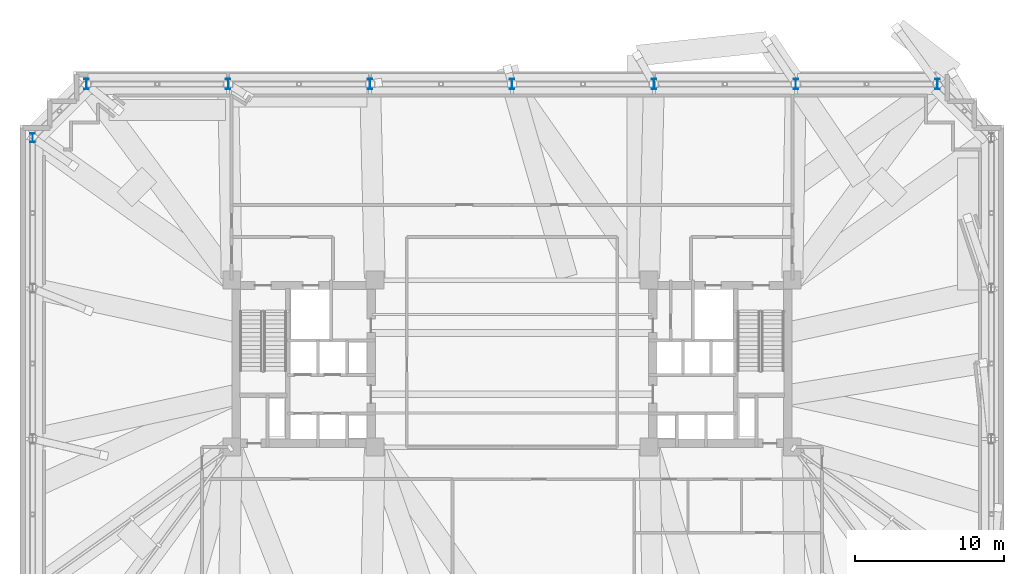
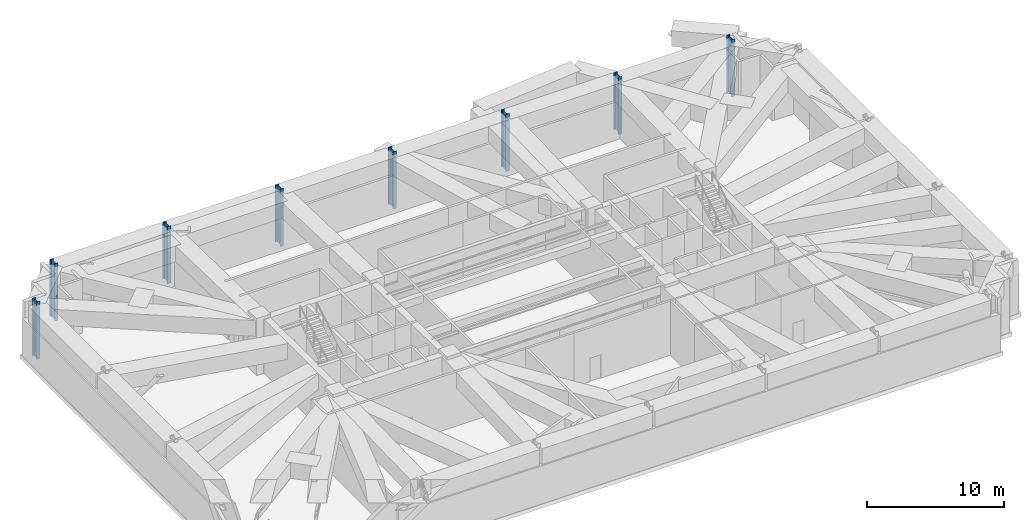
# One storey, part 2 of 20: 8 columns.
"""IFC4 building model written with IfcOpenShell, lengths in metres."""

from ifc_helpers import new_model, si_unit, direction, frame, origin, origin_2d, place, context, subcontext, project, spatial, i_section, extrude, material, material_profile, profile_set, type_object, element, save


model = new_model("IFC4")

# Units and contexts
model_context = context("Model", 3, precision=1e-05, world=origin(), true_north=direction((0.0, 1.0)))
body_context = subcontext(model_context, "Body", "Model", "MODEL_VIEW")
ifc_project = project(units=[si_unit("LENGTHUNIT", "METRE"), si_unit("AREAUNIT", "SQUARE_METRE"), si_unit("VOLUMEUNIT", "CUBIC_METRE"), si_unit("PLANEANGLEUNIT", "RADIAN"), si_unit("MASSUNIT", "GRAM", prefix="KILO")], contexts=[model_context])

# Site, building, storey
site_placement = place(None, origin())
site = spatial("IfcSite", under=ifc_project, at=site_placement, CompositionType="ELEMENT")
building_placement = place(site_placement, origin())
building = spatial("IfcBuilding", under=site, at=building_placement, Name="Qobustan Lattice House", CompositionType="ELEMENT")
storey_placement = place(building_placement, frame((0.0, 0.0, 73.89990234375)))
storey = spatial("IfcBuildingStorey", under=building, at=storey_placement, Name="L20", CompositionType="ELEMENT", Elevation=73.89990234375)

# Columns
ifc_material_1 = material(Name="Steel S460", Category="steel")
ifc_material_profile_1 = material_profile(ifc_material_1, i_section(OverallWidth=0.304931640625, OverallDepth=0.6201171875, WebThickness=0.02099609375, FlangeThickness=0.0400390625, FilletRadius=0.027099609375, at=origin_2d()), Name="HEM600")
ifc_profile_set_1 = profile_set([ifc_material_profile_1], Name="Steel S460")
column_type_1 = type_object("IfcColumnType", Name="COL-ST-HEM600", PredefinedType="COLUMN", material=ifc_profile_set_1)
column_placement = place(storey_placement, frame((-32.14990234375, 15.14990234375, 0.0), z_axis=(0.0, 0.0, 1.0), x_axis=(1.0, 0.0, 0.0)))
element("IfcColumn", 1, at=column_placement, inside=storey, type_object=column_type_1, Name="L20 B1 perimeter column W1", PredefinedType="COLUMN", context=body_context, shape_type="SweptSolid", body=[
    extrude(i_section(OverallWidth=0.304931640625, OverallDepth=0.6201171875, WebThickness=0.02099609375, FlangeThickness=0.0400390625, FilletRadius=0.027099609375, at=origin_2d()), origin(), (0.0, 0.0, 1.0), 5.10009765625),
])
ifc_material_2 = material(Name="Steel S460", Category="steel")
ifc_material_profile_2 = material_profile(ifc_material_2, i_section(OverallWidth=0.303955078125, OverallDepth=0.716064453125, WebThickness=0.02099609375, FlangeThickness=0.0400390625, FilletRadius=0.027099609375, at=origin_2d()), Name="HEM700")
ifc_profile_set_2 = profile_set([ifc_material_profile_2], Name="Steel S460")
column_type_2 = type_object("IfcColumnType", Name="COL-ST-HEM700", PredefinedType="COLUMN", material=ifc_profile_set_2)
for number, where, z_axis, x_axis, name in (
    (2, (28.550048828125, 18.75, 0.0), (0.0, 0.0, 1.0), (1.0, 0.0, 0.0), "L20 B1 perimeter column N1"),
    (3, (19.033203125, 18.75, 0.0), (0.0, 0.0, 1.0), (1.0, 0.0, 0.0), "L20 B1 perimeter column N2"),
    (4, (9.5166015625, 18.75, 0.0), (0.0, 0.0, 1.0), (1.0, 0.0, 0.0), "L20 B1 perimeter column N3"),
    (5, (0.0, 18.75, 0.0), (0.0, 0.0, 1.0), (1.0, 0.0, 0.0), "L20 B1 perimeter column N4"),
    (6, (-9.5166015625, 18.75, 0.0), (0.0, 0.0, 1.0), (1.0, 0.0, 0.0), "L20 B1 perimeter column N5"),
    (7, (-19.033203125, 18.75, 0.0), (0.0, 0.0, 1.0), (1.0, 0.0, 0.0), "L20 B1 perimeter column N6"),
    (8, (-28.550048828125, 18.75, 0.0), (0.0, 0.0, 1.0), (1.0, 0.0, 0.0), "L20 B1 perimeter column N7"),
):
    element("IfcColumn", number, at=place(storey_placement, frame(where, z_axis=z_axis, x_axis=x_axis)), inside=storey, type_object=column_type_2, Name=name, PredefinedType="COLUMN", context=body_context, shape_type="SweptSolid", body=[
        extrude(i_section(OverallWidth=0.303955078125, OverallDepth=0.716064453125, WebThickness=0.02099609375, FlangeThickness=0.0400390625, FilletRadius=0.027099609375, at=origin_2d()), origin(), (0.0, 0.0, 1.0), 5.10009765625),
    ])

save(model, "model.ifc")
